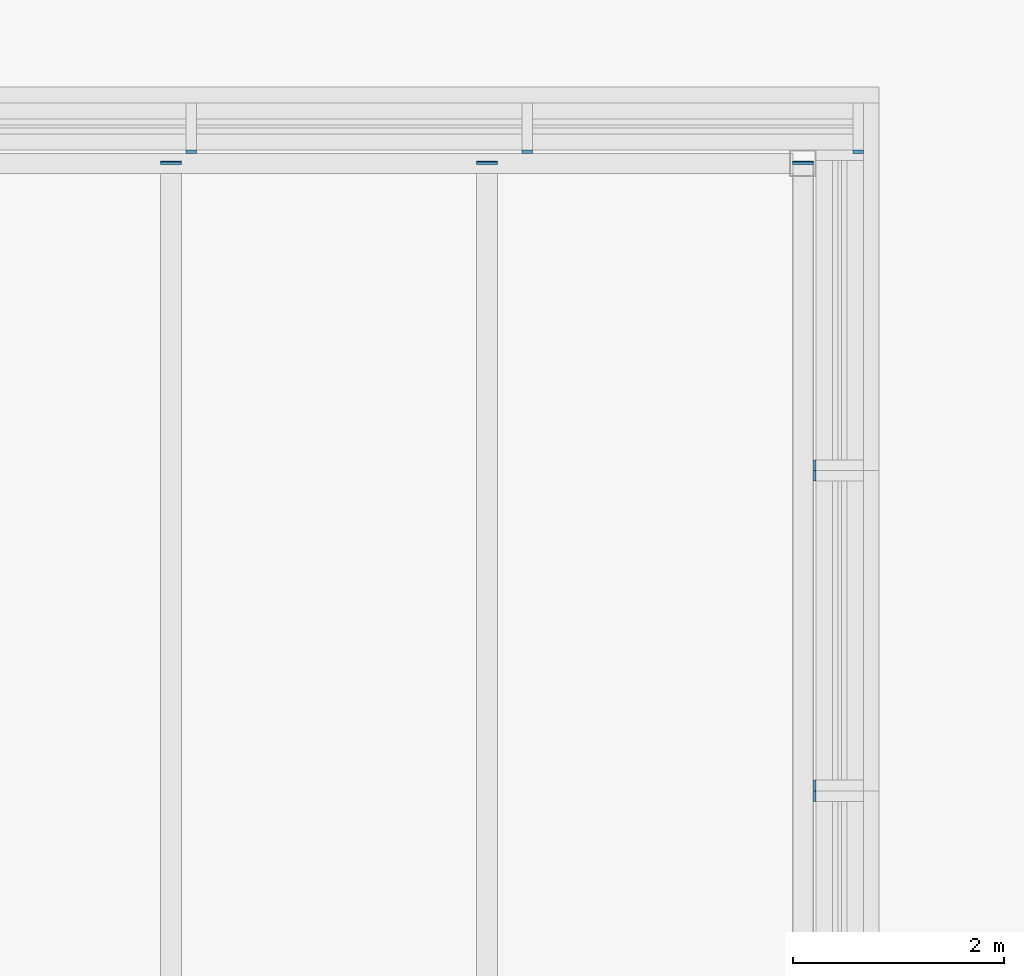
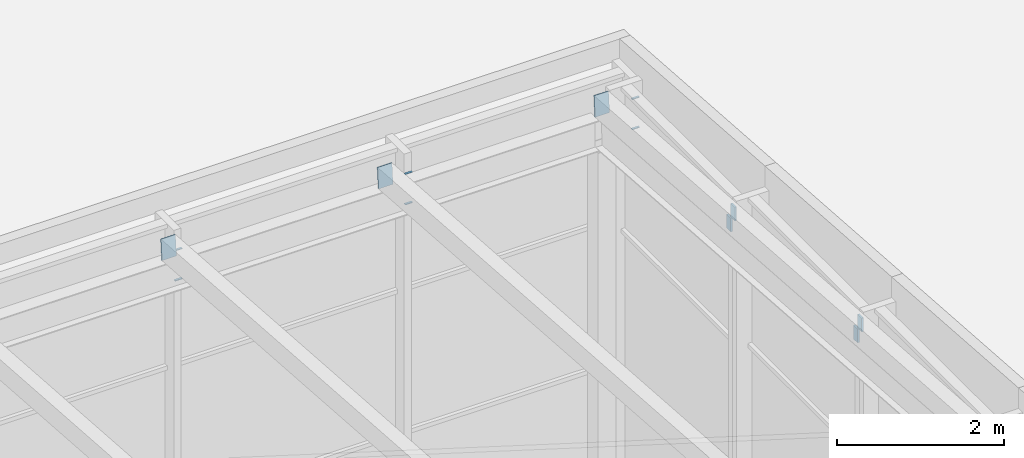
# One storey, part 81 of 84: 13 discrete accessories.
"""IFC4 building model written with IfcOpenShell, lengths in metres."""

from ifc_helpers import new_model, si_unit, direction, frame, origin, origin_2d, place, context, subcontext, project, spatial, rectangle, extrude, material, layer, layer_set, type_object, element, save


model = new_model("IFC4")

# Units and contexts
model_context = context("Model", 3, precision=1e-05, world=origin(), true_north=direction((0.0, 1.0)))
body_context = subcontext(model_context, "Body", "Model", "MODEL_VIEW")
ifc_project = project(units=[si_unit("LENGTHUNIT", "METRE"), si_unit("AREAUNIT", "SQUARE_METRE"), si_unit("VOLUMEUNIT", "CUBIC_METRE"), si_unit("PLANEANGLEUNIT", "RADIAN"), si_unit("MASSUNIT", "GRAM", prefix="KILO")], contexts=[model_context])

# Site, building, storey
site_placement = place(None, origin())
site = spatial("IfcSite", under=ifc_project, at=site_placement, CompositionType="ELEMENT")
building_placement = place(site_placement, origin())
building = spatial("IfcBuilding", under=site, at=building_placement, Name="Silverbay Arena", CompositionType="ELEMENT")
storey_placement = place(building_placement, frame((0.0, 0.0, 47.10009765625)))
storey = spatial("IfcBuildingStorey", under=building, at=storey_placement, Name="ROOF", CompositionType="ELEMENT", Elevation=47.10009765625)

# Discrete accessories
ifc_material_1 = material(Name="Steel S355", Category="steel")
ifc_layer = layer(ifc_material_1, 0.011962890625)
ifc_layer_set = layer_set([ifc_layer], Name="Steel S355")
discrete_accessory_type_1 = type_object("IfcDiscreteAccessoryType", Name="Purlin end plate 12", PredefinedType="USERDEFINED", material=ifc_layer_set)
for number, where, z_axis, x_axis, name in (
    (1, (174.0, 135.0, 8.74951171875), (0.0, 0.996684615823, -0.081362009455), (-1.0, 0.0, 0.0), "Purlin end plate"),
    (2, (177.0, 135.0, 8.74951171875), (0.0, 0.996684615823, -0.081362009455), (-1.0, 0.0, 0.0), "Purlin end plate"),
    (3, (180.0, 135.0, 8.74951171875), (0.0, 0.996684615823, -0.081362009455), (-1.0, 0.0, 0.0), "Purlin end plate"),
):
    element("IfcDiscreteAccessory", number, at=place(storey_placement, frame(where, z_axis=z_axis, x_axis=x_axis)), inside=storey, type_object=discrete_accessory_type_1, Name=name, ObjectType="END PLATE", PredefinedType="USERDEFINED", context=body_context, shape_type="SweptSolid", body=[
        extrude(rectangle(XDim=0.199951171875, YDim=0.300048828125, at=origin_2d()), origin(), (0.0, 0.0, 1.0), 0.011962890625),
    ])
ifc_material_2 = material(Name="Steel S355", Category="steel")
discrete_accessory_type_2 = type_object("IfcDiscreteAccessoryType", Name="Steel bracket plate", PredefinedType="BRACKET", material=ifc_material_2)
for number, where, z_axis, x_axis, name in (
    (4, (174.191650390625, 135.10986328125, 8.58642578125), (0.0, 0.0, 1.0), (1.0, 0.0, 0.0), "Curtain wall packing plate"),
    (5, (174.191650390625, 135.10986328125, 8.145751953125), (0.0, 0.0, 1.0), (1.0, 0.0, 0.0), "Curtain wall packing plate"),
    (6, (177.38330078125, 135.10986328125, 8.58642578125), (0.0, 0.0, 1.0), (1.0, 0.0, 0.0), "Curtain wall packing plate"),
    (7, (177.38330078125, 135.10986328125, 8.145751953125), (0.0, 0.0, 1.0), (1.0, 0.0, 0.0), "Curtain wall packing plate"),
    (8, (180.52490234375, 135.10986328125, 8.58642578125), (0.0, 0.0, 1.0), (1.0, 0.0, 0.0), "Curtain wall packing plate"),
    (9, (180.52490234375, 135.10986328125, 8.145751953125), (0.0, 0.0, 1.0), (1.0, 0.0, 0.0), "Curtain wall packing plate"),
):
    element("IfcDiscreteAccessory", number, at=place(storey_placement, frame(where, z_axis=z_axis, x_axis=x_axis)), inside=storey, type_object=discrete_accessory_type_2, Name=name, PredefinedType="BRACKET", context=body_context, shape_type="SweptSolid", body=[
        extrude(rectangle(XDim=0.10009765625, YDim=0.030029296875, at=origin_2d()), origin(), (0.0, 0.0, 1.0), 0.0126953125),
    ])
for number, where, z_axis, x_axis, name in (
    (10, (180.112548828125, 128.99169921875, 9.05029296875), (0.0, 0.0, 1.0), (1.0, 0.0, 0.0), "Curtain wall packing plate"),
    (11, (180.112548828125, 129.091552734375, 8.83056640625), (0.0, 0.0, 1.0), (1.0, 0.0, 0.0), "Curtain wall packing plate"),
    (12, (180.112548828125, 132.033447265625, 8.83056640625), (0.0, 0.0, 1.0), (1.0, 0.0, 0.0), "Curtain wall packing plate"),
    (13, (180.112548828125, 132.13330078125, 8.61083984375), (0.0, 0.0, 1.0), (1.0, 0.0, 0.0), "Curtain wall packing plate"),
):
    element("IfcDiscreteAccessory", number, at=place(storey_placement, frame(where, z_axis=z_axis, x_axis=x_axis)), inside=storey, type_object=discrete_accessory_type_2, Name=name, PredefinedType="BRACKET", context=body_context, shape_type="SweptSolid", body=[
        extrude(rectangle(XDim=0.02490234375, YDim=0.10009765625, at=origin_2d()), origin(), (0.0, 0.0, 1.0), 0.199951171875),
    ])

save(model, "model.ifc")
